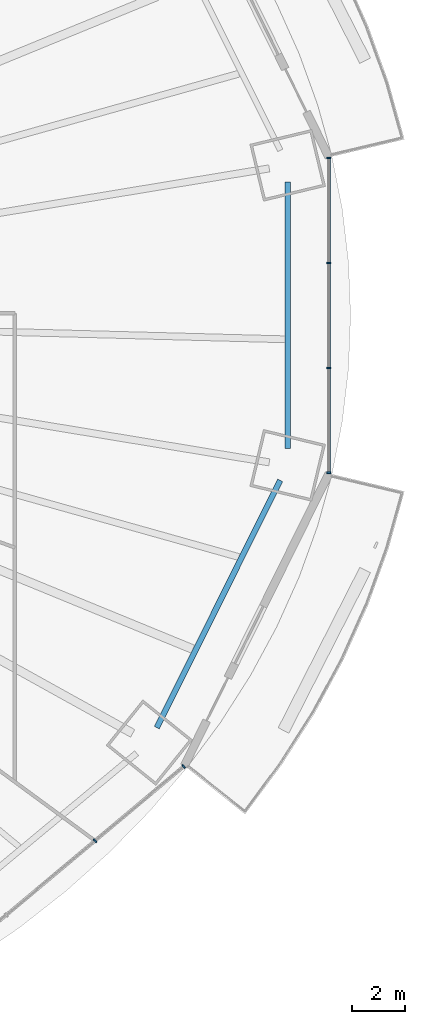
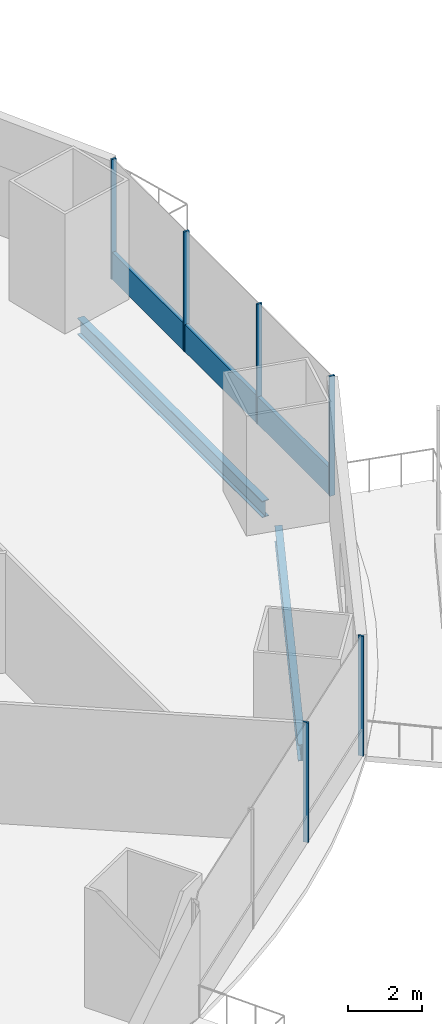
# One storey, part 11 of 23: 7 members, 2 beams, 2 elements without a shape of their own.
"""IFC4 building model written with IfcOpenShell, lengths in metres."""

from ifc_helpers import new_model, si_unit, direction, frame, origin, origin_2d, place, context, subcontext, project, spatial, rectangle, i_section, extrude, material, material_profile, profile_set, type_object, element, aggregate, save


model = new_model("IFC4")

# Units and contexts
model_context = context("Model", 3, precision=1e-05, world=origin(), true_north=direction((0.0, 1.0)))
body_context = subcontext(model_context, "Body", "Model", "MODEL_VIEW")
ifc_project = project(units=[si_unit("LENGTHUNIT", "METRE"), si_unit("AREAUNIT", "SQUARE_METRE"), si_unit("VOLUMEUNIT", "CUBIC_METRE"), si_unit("PLANEANGLEUNIT", "RADIAN"), si_unit("MASSUNIT", "GRAM", prefix="KILO")], contexts=[model_context])

# Site, building, storey
site_placement = place(None, origin())
site = spatial("IfcSite", under=ifc_project, at=site_placement, CompositionType="ELEMENT")
building_placement = place(site_placement, origin())
building = spatial("IfcBuilding", under=site, at=building_placement, Name="Marenthal Gate Tower", CompositionType="ELEMENT")
storey_placement = place(building_placement, frame((0.0, 0.0, 45.449951171875)))
storey = spatial("IfcBuildingStorey", under=building, at=storey_placement, Name="L07", CompositionType="ELEMENT", Elevation=45.449951171875)

# Curtain wall, members
ifc_material_1 = material(Name="Aluminium and glass", Category="aluminium")
curtain_wall_type = type_object("IfcCurtainWallType", Name="Curtain wall typical low", PredefinedType="NOTDEFINED", material=ifc_material_1)
curtain_wall_1_placement = place(storey_placement, origin())
curtain_wall_1 = element("IfcCurtainWall", 1, at=curtain_wall_1_placement, inside=storey, type_object=curtain_wall_type, Name="Curtain wall L07 bay 14", PredefinedType="NOTDEFINED")
ifc_material_2 = material(Name="Aluminium", Category="aluminium")
ifc_material_profile_1 = material_profile(ifc_material_2, rectangle(XDim=0.159912109375, YDim=0.06005859375, at=origin_2d()), Name="60x160 aluminium mullion")
ifc_profile_set_1 = profile_set([ifc_material_profile_1], Name="Aluminium")
member_type_1 = type_object("IfcMemberType", Name="Mullion 60x160 typical low", PredefinedType="MULLION", material=ifc_profile_set_1)
member_1_placement = place(storey_placement, frame((26.938232421875, -19.76611328125, 0.0), z_axis=(0.0, 0.0, 1.0), x_axis=(-0.642047277641, 0.766665046336, 0.0)))
member_1 = element("IfcMember", 2, at=member_1_placement, type_object=member_type_1, Name="Mullion L07 bay 14.3", PredefinedType="MULLION", context=body_context, shape_type="SweptSolid", body=[
    extrude(rectangle(XDim=0.159912109375, YDim=0.06005859375, at=origin_2d()), origin(), (0.0, 0.0, 1.0), 3.969970703125),
])
member_2_placement = place(storey_placement, frame((30.274169921875, -16.972412109375, 0.0), z_axis=(0.0, 0.0, 1.0), x_axis=(-0.642047277641, 0.766665046336, 0.0)))
member_2 = element("IfcMember", 3, at=member_2_placement, type_object=member_type_1, Name="Mullion L07 bay 14.4", PredefinedType="MULLION", context=body_context, shape_type="SweptSolid", body=[
    extrude(rectangle(XDim=0.159912109375, YDim=0.06005859375, at=origin_2d()), origin(), (0.0, 0.0, 1.0), 3.969970703125),
])
aggregate(curtain_wall_1, [member_1, member_2])

curtain_wall_2_placement = place(storey_placement, origin())
curtain_wall_2 = element("IfcCurtainWall", 4, at=curtain_wall_2_placement, inside=storey, type_object=curtain_wall_type, Name="Curtain wall L07 bay 16", PredefinedType="NOTDEFINED")
member_3_placement = place(storey_placement, frame((35.73779296875, -5.923095703125, 0.0), z_axis=(0.0, 0.0, 1.0), x_axis=(-1.0, 0.0, 0.0)))
member_3 = element("IfcMember", 5, at=member_3_placement, type_object=member_type_1, Name="Mullion L07 bay 16.1", PredefinedType="MULLION", context=body_context, shape_type="SweptSolid", body=[
    extrude(rectangle(XDim=0.159912109375, YDim=0.06005859375, at=origin_2d()), origin(), (0.0, 0.0, 1.0), 3.969970703125),
])
member_4_placement = place(storey_placement, frame((35.73779296875, -1.974365234375, 0.0), z_axis=(0.0, 0.0, 1.0), x_axis=(-1.0, 0.0, 0.0)))
member_4 = element("IfcMember", 6, at=member_4_placement, type_object=member_type_1, Name="Mullion L07 bay 16.2", PredefinedType="MULLION", context=body_context, shape_type="SweptSolid", body=[
    extrude(rectangle(XDim=0.159912109375, YDim=0.06005859375, at=origin_2d()), origin(), (0.0, 0.0, 1.0), 3.969970703125),
])
member_5_placement = place(storey_placement, frame((35.73779296875, 1.974365234375, 0.0), z_axis=(0.0, 0.0, 1.0), x_axis=(-1.0, 0.0, 0.0)))
member_5 = element("IfcMember", 7, at=member_5_placement, type_object=member_type_1, Name="Mullion L07 bay 16.3", PredefinedType="MULLION", context=body_context, shape_type="SweptSolid", body=[
    extrude(rectangle(XDim=0.159912109375, YDim=0.06005859375, at=origin_2d()), origin(), (0.0, 0.0, 1.0), 3.969970703125),
])
member_6_placement = place(storey_placement, frame((35.73779296875, 5.923095703125, 0.0), z_axis=(0.0, 0.0, 1.0), x_axis=(-1.0, 0.0, 0.0)))
member_6 = element("IfcMember", 8, at=member_6_placement, type_object=member_type_1, Name="Mullion L07 bay 16.4", PredefinedType="MULLION", context=body_context, shape_type="SweptSolid", body=[
    extrude(rectangle(XDim=0.159912109375, YDim=0.06005859375, at=origin_2d()), origin(), (0.0, 0.0, 1.0), 3.969970703125),
])
ifc_material_3 = material(Name="Aluminium", Category="aluminium")
ifc_material_profile_2 = material_profile(ifc_material_3, rectangle(XDim=0.1201171875, YDim=0.89990234375, at=origin_2d()), Name="120x900 aluminium transom")
ifc_profile_set_2 = profile_set([ifc_material_profile_2], Name="Aluminium")
member_type_2 = type_object("IfcMemberType", Name="Transom 120x900 typical low", PredefinedType="USERDEFINED", material=ifc_profile_set_2)
member_7_placement = place(storey_placement, frame((35.73779296875, -5.893310546875, 0.449951171875), z_axis=(0.0, 1.0, 0.0), x_axis=(-1.0, 0.0, 0.0)))
member_7 = element("IfcMember", 9, at=member_7_placement, type_object=member_type_2, Name="Transom L07 bay 16", ObjectType="TRANSOM", PredefinedType="USERDEFINED", context=body_context, shape_type="SweptSolid", body=[
    extrude(rectangle(XDim=0.1201171875, YDim=0.89990234375, at=origin_2d()), origin(), (0.0, 0.0, 1.0), 11.78662109375),
])
aggregate(curtain_wall_2, [member_3, member_4, member_5, member_6, member_7])

# Beams
ifc_material_4 = material(Name="Steel S355", Category="steel")
ifc_material_profile_3 = material_profile(ifc_material_4, i_section(OverallWidth=0.2119140625, OverallDepth=0.5439453125, WebThickness=0.01318359375, FlangeThickness=0.021240234375, FilletRadius=0.0126953125, at=origin_2d()), Name="W530X123")
ifc_profile_set_3 = profile_set([ifc_material_profile_3], Name="Steel S355")
beam_type = type_object("IfcBeamType", Name="W530X123 beam", PredefinedType="BEAM", material=ifc_profile_set_3)
beam_1_placement = place(storey_placement, frame((29.2626953125, -15.515380859375, -0.451904296875), z_axis=(0.446499954542, 0.894783655748, 0.0), x_axis=(-0.894783655748, 0.446499954542, 0.0)))
element("IfcBeam", 10, at=beam_1_placement, inside=storey, type_object=beam_type, Name="BM-L07-55", PredefinedType="BEAM", context=body_context, shape_type="SweptSolid", body=[
    extrude(i_section(OverallWidth=0.2119140625, OverallDepth=0.5439453125, WebThickness=0.01318359375, FlangeThickness=0.021240234375, FilletRadius=0.0126953125, at=origin_2d()), origin(), (0.0, 0.0, 1.0), 10.402099609375),
])
beam_2_placement = place(storey_placement, frame((34.188232421875, -5.013916015625, -0.451904296875), z_axis=(0.0, 1.0, 0.0), x_axis=(-1.0, 0.0, 0.0)))
element("IfcBeam", 11, at=beam_2_placement, inside=storey, type_object=beam_type, Name="BM-L07-56", PredefinedType="BEAM", context=body_context, shape_type="SweptSolid", body=[
    extrude(i_section(OverallWidth=0.2119140625, OverallDepth=0.5439453125, WebThickness=0.01318359375, FlangeThickness=0.021240234375, FilletRadius=0.0126953125, at=origin_2d()), origin(), (0.0, 0.0, 1.0), 10.02783203125),
])

save(model, "model.ifc")
